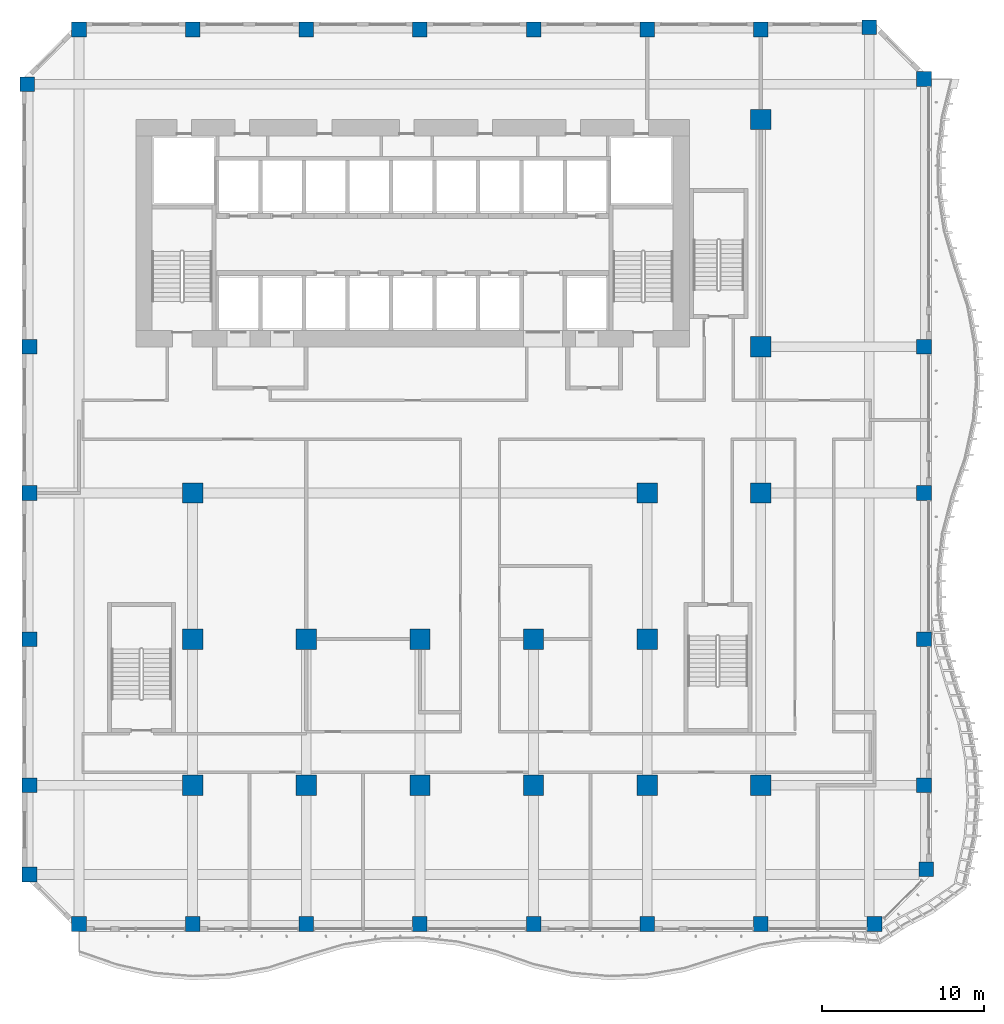
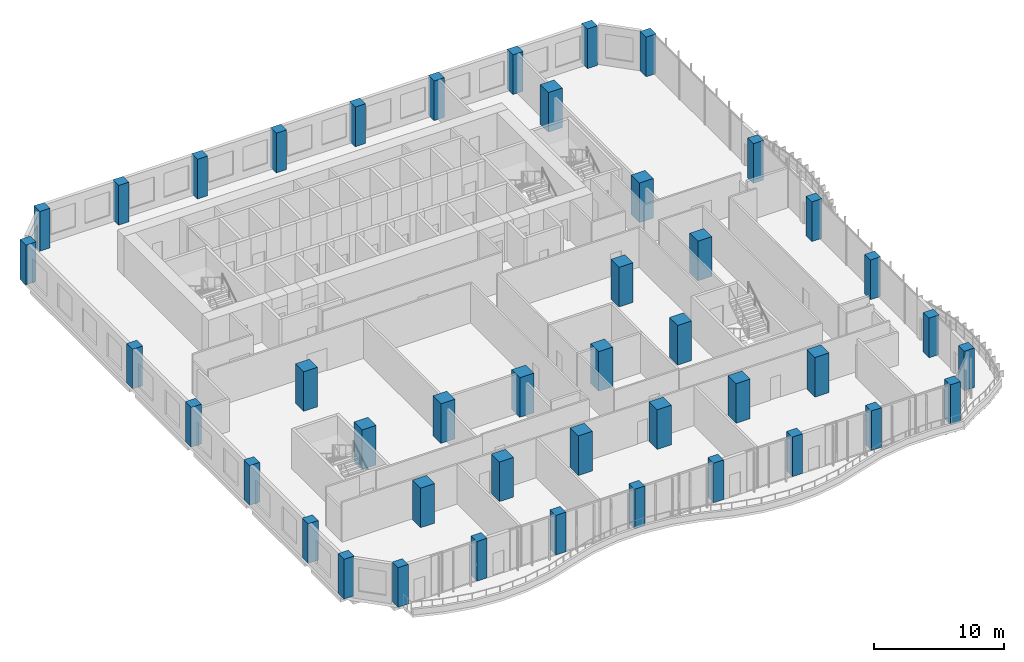
# One storey, part 1 of 28: 44 columns.
"""IFC4 building model written with IfcOpenShell, lengths in metres."""

import ifcopenshell
import ifcopenshell.guid

model = None  # the IFC model being written
_history = None  # IfcOwnerHistory: only IFC2X3 demands one
_inside = {}  # id of a spatial element -> (the spatial element, [elements in it])
_under = {}  # id of a project, library or spatial element -> (it, [spatial elements below it])
_declared = {}  # id of a project -> (the project, [libraries it declares])
_typed = {}  # id of a type object -> (the type object, [elements of that type])
_made_of = {}  # id of a material, layer set ... -> (it, [elements and type objects made of it])


def new_model(schema):
    """Start an empty IFC model of exactly this schema.

    Asked for "IFC4X3", IfcOpenShell would pick the latest addendum, in which some entities
    have other attributes; the version numbers below select the first issue.
    IFC2X3 requires an IfcOwnerHistory on every rooted entity: one is made here for all.
    """
    global model, _history
    if schema == "IFC4X3":
        model = ifcopenshell.file(schema_version=(4, 3, 0, 0))
    else:
        model = ifcopenshell.file(schema=schema)
    _inside.clear()
    _under.clear()
    _declared.clear()
    _typed.clear()
    _made_of.clear()
    _history = None
    if model.schema == "IFC2X3":
        org = make("IfcOrganization", Name="unknown")
        user = make(
            "IfcPersonAndOrganization",
            ThePerson=make("IfcPerson", FamilyName="unknown"),
            TheOrganization=org,
        )
        app = make(
            "IfcApplication",
            ApplicationDeveloper=org,
            Version="unknown",
            ApplicationFullName="unknown",
            ApplicationIdentifier="unknown",
        )
        _history = make(
            "IfcOwnerHistory",
            OwningUser=user,
            OwningApplication=app,
            ChangeAction="ADDED",
            CreationDate=0,
        )
    return model


def make(cls, **values):
    """One entity of the class cls with the attributes given. An attribute that is None is left unset."""
    return model.create_entity(
        cls, **{name: value for name, value in values.items() if value is not None}
    )


def rooted(cls, **values):
    """An entity with a GlobalId (a new one), such as an element, a storey or a relation."""
    return make(cls, GlobalId=ifcopenshell.guid.new(), OwnerHistory=_history, **values)


def si_unit(unit_type, name, prefix=None):
    """IfcSIUnit, for example si_unit("LENGTHUNIT", "METRE", prefix="MILLI")."""
    return make("IfcSIUnit", UnitType=unit_type, Prefix=prefix, Name=name)


def assignment(units):
    """IfcUnitAssignment: the units of a project."""
    return None if units is None else make("IfcUnitAssignment", Units=units)


def point(xyz):
    """IfcCartesianPoint."""
    return None if xyz is None else make("IfcCartesianPoint", Coordinates=xyz)


def direction(xyz):
    """IfcDirection."""
    return None if xyz is None else make("IfcDirection", DirectionRatios=xyz)


def frame(location, z_axis=None, x_axis=None):
    """IfcAxis2Placement3D, a coordinate frame: its origin and axes. An axis left out is left unset."""
    return make(
        "IfcAxis2Placement3D",
        Location=point(location),
        Axis=direction(z_axis),
        RefDirection=direction(x_axis),
    )


def frame_2d(location, x_axis=None):
    """IfcAxis2Placement2D, a coordinate frame in the plane: its origin and x axis."""
    return make(
        "IfcAxis2Placement2D", Location=point(location), RefDirection=direction(x_axis)
    )


def origin():
    """The frame at (0, 0, 0) with its axes left unset."""
    return frame((0.0, 0.0, 0.0))


def origin_2d():
    """The frame at (0, 0) in the plane with its x axis left unset."""
    return frame_2d((0.0, 0.0))


def place(relative_to, where):
    """IfcLocalPlacement: puts the frame where relative to a parent placement (None: the world)."""
    return make(
        "IfcLocalPlacement", PlacementRelTo=relative_to, RelativePlacement=where
    )


def context(
    kind, dimensions, precision=None, world=None, true_north=None, identifier=None
):
    """IfcGeometricRepresentationContext, for example the 3D "Model" context."""
    return make(
        "IfcGeometricRepresentationContext",
        ContextIdentifier=identifier,
        ContextType=kind,
        CoordinateSpaceDimension=dimensions,
        Precision=precision,
        WorldCoordinateSystem=world,
        TrueNorth=true_north,
    )


def subcontext(parent, identifier, kind, view, scale=None):
    """IfcGeometricRepresentationSubContext, for example "Body" below "Model"."""
    return make(
        "IfcGeometricRepresentationSubContext",
        ContextIdentifier=identifier,
        ContextType=kind,
        ParentContext=parent,
        TargetScale=scale,
        TargetView=view,
    )


def project(units=None, contexts=None):
    """IfcProject with its units and contexts."""
    return rooted(
        "IfcProject",
        Name="project",
        RepresentationContexts=contexts,
        UnitsInContext=assignment(units),
    )


def spatial(cls, under=None, at=None, **own):
    """A site, building, storey or space (cls), placed at a placement, below another one or the project."""
    s = rooted(cls, ObjectPlacement=at, **own)
    if under is not None:
        _under.setdefault(under.id(), (under, []))[1].append(s)
    return s


def profile(cls, at=None, kind="AREA", **sizes):
    """A parametric profile (cls). Its sizes go by their IFC names, for example OverallWidth=200.0."""
    return make(cls, ProfileType=kind, Position=at, **sizes)


def rectangle(**sizes):
    """IfcRectangleProfileDef."""
    return profile("IfcRectangleProfileDef", **sizes)


def extrude(swept, where, along, depth):
    """IfcExtrudedAreaSolid: the profile swept, set in the frame where, extruded along a direction by depth."""
    return make(
        "IfcExtrudedAreaSolid",
        SweptArea=swept,
        Position=where,
        ExtrudedDirection=direction(along),
        Depth=depth,
    )


def shape(context_of_items, identifier, shape_type, items):
    """IfcShapeRepresentation: the items that make up one representation, for example the "Body"."""
    return make(
        "IfcShapeRepresentation",
        ContextOfItems=context_of_items,
        RepresentationIdentifier=identifier,
        RepresentationType=shape_type,
        Items=items,
    )


def source(mapping_origin, context_of_items, identifier, shape_type, items):
    """IfcRepresentationMap: a shape defined once, which mapped items show again and again."""
    return make(
        "IfcRepresentationMap",
        MappingOrigin=mapping_origin,
        MappedRepresentation=shape(context_of_items, identifier, shape_type, items),
    )


def transform(
    local_origin,
    x_axis=None,
    y_axis=None,
    z_axis=None,
    scale=None,
    scale2=None,
    scale3=None,
    uniform=True,
):
    """IfcCartesianTransformationOperator3D, or its non-uniform kind. x_axis, y_axis, z_axis: its Axis1, 2, 3."""
    if uniform:
        return make(
            "IfcCartesianTransformationOperator3D",
            Axis1=direction(x_axis),
            Axis2=direction(y_axis),
            LocalOrigin=point(local_origin),
            Scale=scale,
            Axis3=direction(z_axis),
        )
    return make(
        "IfcCartesianTransformationOperator3DnonUniform",
        Axis1=direction(x_axis),
        Axis2=direction(y_axis),
        LocalOrigin=point(local_origin),
        Scale=scale,
        Axis3=direction(z_axis),
        Scale2=scale2,
        Scale3=scale3,
    )


def mapped(mapping_source, mapping_target):
    """IfcMappedItem: shows the shape of a source again, moved by a transform."""
    return make(
        "IfcMappedItem", MappingSource=mapping_source, MappingTarget=mapping_target
    )


def material(Name=None, Category=None):
    """IfcMaterial."""
    return make("IfcMaterial", Name=Name, Category=Category)


def material_profile(
    of_material, cross_section, Name=None, Category=None, Priority=None
):
    """IfcMaterialProfile: a cross section and its material."""
    return make(
        "IfcMaterialProfile",
        Name=Name,
        Material=of_material,
        Profile=cross_section,
        Priority=Priority,
        Category=Category,
    )


def profile_set(profiles, Name=None, composite=None):
    """IfcMaterialProfileSet."""
    return make(
        "IfcMaterialProfileSet",
        Name=Name,
        MaterialProfiles=profiles,
        CompositeProfile=composite,
    )


def made_of(thing, what):
    """Note that an element or type object is made of a material, layer set ...; save() writes the relation."""
    if what is not None:
        _made_of.setdefault(what.id(), (what, []))[1].append(thing)
    return thing


def type_object(cls, material=None, **own):
    """A type object (cls), such as IfcWallType, which elements share."""
    return made_of(rooted(cls, **own), material)


def element(
    cls,
    number,
    at=None,
    inside=None,
    cuts=None,
    type_object=None,
    material=None,
    context=None,
    identifier="Body",
    shape_type=None,
    held_by="IfcProductDefinitionShape",
    body=None,
    shapes=None,
    **own,
):
    """One element of the class cls, such as IfcWall. Its Tag is "e" and its number.

    at: its placement. inside: the storey or other place that contains it. cuts: it is an
    opening in that element (IfcRelVoidsElement). A single representation is given by context,
    identifier, shape_type and body (its items); several are given by shapes. held_by: the class
    of the entity that holds the representations. save() writes the other relations.
    """
    e = rooted(cls, Tag="e%d" % number, ObjectPlacement=at, **own)
    if body is not None:
        shapes = [shape(context, identifier, shape_type, body)]
    if shapes is not None:
        e.Representation = make(held_by, Representations=shapes)
    if inside is not None:
        _inside.setdefault(inside.id(), (inside, []))[1].append(e)
    if cuts is not None:
        rooted(
            "IfcRelVoidsElement", RelatingBuildingElement=cuts, RelatedOpeningElement=e
        )
    if type_object is not None:
        _typed.setdefault(type_object.id(), (type_object, []))[1].append(e)
    return made_of(e, material)


def aggregate(whole, parts):
    """IfcRelAggregates: a whole, such as a stair, and the parts it consists of."""
    return rooted("IfcRelAggregates", RelatingObject=whole, RelatedObjects=parts)


def save(model, path):
    """Write the relations noted so far, then the file.

    IfcRelAggregates (storeys below a building ...), IfcRelContainedInSpatialStructure (elements
    in a storey), IfcRelDefinesByType, IfcRelAssociatesMaterial and IfcRelDeclares: one each for
    every whole, place, type object, material and project.
    """
    for whole, parts in _under.values():
        aggregate(whole, parts)
    for where, things in _inside.values():
        rooted(
            "IfcRelContainedInSpatialStructure",
            RelatedElements=things,
            RelatingStructure=where,
        )
    for kind, things in _typed.values():
        rooted("IfcRelDefinesByType", RelatedObjects=things, RelatingType=kind)
    for what, things in _made_of.values():
        rooted("IfcRelAssociatesMaterial", RelatedObjects=things, RelatingMaterial=what)
    for by, libraries in _declared.values():
        rooted("IfcRelDeclares", RelatingContext=by, RelatedDefinitions=libraries)
    model.write(path)


model = new_model("IFC4")

# Units and contexts
model_context = context("Model", 3, precision=1e-05, world=origin(), true_north=direction((0.0, 1.0)))
body_context = subcontext(model_context, "Body", "Model", "MODEL_VIEW")
ifc_project = project(units=[si_unit("LENGTHUNIT", "METRE"), si_unit("AREAUNIT", "SQUARE_METRE"), si_unit("VOLUMEUNIT", "CUBIC_METRE"), si_unit("PLANEANGLEUNIT", "RADIAN"), si_unit("MASSUNIT", "GRAM", prefix="KILO")], contexts=[model_context])

# Site, building, storey
site_placement = place(None, origin())
site = spatial("IfcSite", under=ifc_project, at=site_placement, CompositionType="ELEMENT")
building_placement = place(site_placement, origin())
building = spatial("IfcBuilding", under=site, at=building_placement, Name="Kilnfold Tower and Market Hall", CompositionType="ELEMENT")
storey_placement = place(building_placement, frame((0.0, 0.0, 75.199951171875)))
storey = spatial("IfcBuildingStorey", under=building, at=storey_placement, Name="L17", CompositionType="ELEMENT", Elevation=75.199951171875)

# Columns
ifc_material_1 = material(Name="Concrete C80", Category="concrete")
ifc_material_profile_1 = material_profile(ifc_material_1, rectangle(XDim=0.89990234375, YDim=0.89990234375, at=origin_2d()), Name="RC 900x900")
ifc_profile_set_1 = profile_set([ifc_material_profile_1], Name="Concrete C80")
column_type_1 = type_object("IfcColumnType", Name="COLUMN 900X900 C80", PredefinedType="COLUMN", material=ifc_profile_set_1)
shared_shape_1 = source(origin(), body_context, "Body", "SweptSolid", [
    extrude(rectangle(XDim=0.89990234375, YDim=0.89990234375, at=origin_2d()), origin(), (0.0, 0.0, 1.0), 3.719970703125),
])
for number, where, z_axis, x_axis, name in (
    (1, (-22.681884765625, 24.181884765625, 0.0), (0.0, 0.0, 1.0), (1.0, 0.0, 0.0), "Column C-B2-1H"),
    (2, (-22.550048828125, -24.5, 0.0), (0.0, 0.0, 1.0), (1.0, 0.0, 0.0), "Column C-B2-1B"),
    (3, (-22.550048828125, -19.0, 0.0), (0.0, 0.0, 1.0), (1.0, 0.0, 0.0), "Column C-B2-1C"),
    (4, (-22.550048828125, -10.0, 0.0), (0.0, 0.0, 1.0), (1.0, 0.0, 0.0), "Column C-B2-1D"),
    (5, (-22.550048828125, -1.0, 0.0), (0.0, 0.0, 1.0), (1.0, 0.0, 0.0), "Column C-B2-1E"),
    (6, (-22.550048828125, 8.0, 0.0), (0.0, 0.0, 1.0), (1.0, 0.0, 0.0), "Column C-B2-1F"),
    (7, (-19.5, -27.550048828125, 0.0), (0.0, 0.0, 1.0), (1.0, 0.0, 0.0), "Column C-B2-2A"),
    (8, (-19.5, 27.550048828125, 0.0), (0.0, 0.0, 1.0), (1.0, 0.0, 0.0), "Column C-B2-2I"),
    (9, (-12.5, -27.550048828125, 0.0), (0.0, 0.0, 1.0), (1.0, 0.0, 0.0), "Column C-B2-3A"),
    (10, (-12.5, 27.550048828125, 0.0), (0.0, 0.0, 1.0), (1.0, 0.0, 0.0), "Column C-B2-3I"),
    (11, (-5.5, -27.550048828125, 0.0), (0.0, 0.0, 1.0), (1.0, 0.0, 0.0), "Column C-B2-4A"),
    (12, (-5.5, 27.550048828125, 0.0), (0.0, 0.0, 1.0), (1.0, 0.0, 0.0), "Column C-B2-4I"),
    (13, (1.5, -27.550048828125, 0.0), (0.0, 0.0, 1.0), (1.0, 0.0, 0.0), "Column C-B2-5A"),
    (14, (1.5, 27.550048828125, 0.0), (0.0, 0.0, 1.0), (1.0, 0.0, 0.0), "Column C-B2-5I"),
    (15, (8.5, -27.550048828125, 0.0), (0.0, 0.0, 1.0), (1.0, 0.0, 0.0), "Column C-B2-6A"),
    (16, (8.5, 27.550048828125, 0.0), (0.0, 0.0, 1.0), (1.0, 0.0, 0.0), "Column C-B2-6I"),
    (17, (15.5, -27.550048828125, 0.0), (0.0, 0.0, 1.0), (1.0, 0.0, 0.0), "Column C-B2-7A"),
    (18, (15.5, 27.550048828125, 0.0), (0.0, 0.0, 1.0), (1.0, 0.0, 0.0), "Column C-B2-7I"),
    (19, (22.5, -27.550048828125, 0.0), (0.0, 0.0, 1.0), (1.0, 0.0, 0.0), "Column C-B2-8A"),
    (20, (22.5, 27.550048828125, 0.0), (0.0, 0.0, 1.0), (1.0, 0.0, 0.0), "Column C-B2-8I"),
    (21, (29.181884765625, 27.681884765625, 0.0), (0.0, 0.0, 1.0), (1.0, 0.0, 0.0), "Column C-B2-9I"),
    (22, (29.5, -27.550048828125, 0.0), (0.0, 0.0, 1.0), (1.0, 0.0, 0.0), "Column C-B2-9A"),
    (23, (32.550048828125, -19.0, 0.0), (0.0, 0.0, 1.0), (1.0, 0.0, 0.0), "Column C-B2-10C"),
    (24, (32.550048828125, -10.0, 0.0), (0.0, 0.0, 1.0), (1.0, 0.0, 0.0), "Column C-B2-10D"),
    (25, (32.550048828125, -1.0, 0.0), (0.0, 0.0, 1.0), (1.0, 0.0, 0.0), "Column C-B2-10E"),
    (26, (32.550048828125, 8.0, 0.0), (0.0, 0.0, 1.0), (1.0, 0.0, 0.0), "Column C-B2-10F"),
    (27, (32.550048828125, 24.5, 0.0), (0.0, 0.0, 1.0), (1.0, 0.0, 0.0), "Column C-B2-10H"),
    (28, (32.681884765625, -24.181884765625, 0.0), (0.0, 0.0, 1.0), (1.0, 0.0, 0.0), "Column C-B2-10B"),
):
    element("IfcColumn", number, at=place(storey_placement, frame(where, z_axis=z_axis, x_axis=x_axis)), inside=storey, type_object=column_type_1, Name=name, PredefinedType="COLUMN", context=body_context, shape_type="MappedRepresentation", body=[
        mapped(shared_shape_1, transform((0.0, 0.0, 0.0))),
    ])
ifc_material_2 = material(Name="Concrete C80", Category="concrete")
ifc_material_profile_2 = material_profile(ifc_material_2, rectangle(XDim=1.25, YDim=1.25, at=origin_2d()), Name="RC 1250x1250")
ifc_profile_set_2 = profile_set([ifc_material_profile_2], Name="Concrete C80")
column_type_2 = type_object("IfcColumnType", Name="COLUMN 1250X1250 C80", PredefinedType="COLUMN", material=ifc_profile_set_2)
shared_shape_2 = source(origin(), body_context, "Body", "SweptSolid", [
    extrude(rectangle(XDim=1.25, YDim=1.25, at=origin_2d()), origin(), (0.0, 0.0, 1.0), 3.719970703125),
])
for number, where, z_axis, x_axis, name in (
    (29, (-12.5, -19.0, 0.0), (0.0, 0.0, 1.0), (1.0, 0.0, 0.0), "Column C-B2-3C"),
    (30, (-12.5, -10.0, 0.0), (0.0, 0.0, 1.0), (1.0, 0.0, 0.0), "Column C-B2-3D"),
    (31, (-12.5, -1.0, 0.0), (0.0, 0.0, 1.0), (1.0, 0.0, 0.0), "Column C-B2-3E"),
    (32, (-5.5, -19.0, 0.0), (0.0, 0.0, 1.0), (1.0, 0.0, 0.0), "Column C-B2-4C"),
    (33, (-5.5, -10.0, 0.0), (0.0, 0.0, 1.0), (1.0, 0.0, 0.0), "Column C-B2-4D"),
    (34, (1.5, -19.0, 0.0), (0.0, 0.0, 1.0), (1.0, 0.0, 0.0), "Column C-B2-5C"),
    (35, (1.5, -10.0, 0.0), (0.0, 0.0, 1.0), (1.0, 0.0, 0.0), "Column C-B2-5D"),
    (36, (8.5, -19.0, 0.0), (0.0, 0.0, 1.0), (1.0, 0.0, 0.0), "Column C-B2-6C"),
    (37, (8.5, -10.0, 0.0), (0.0, 0.0, 1.0), (1.0, 0.0, 0.0), "Column C-B2-6D"),
    (38, (15.5, -19.0, 0.0), (0.0, 0.0, 1.0), (1.0, 0.0, 0.0), "Column C-B2-7C"),
    (39, (15.5, -10.0, 0.0), (0.0, 0.0, 1.0), (1.0, 0.0, 0.0), "Column C-B2-7D"),
    (40, (15.5, -1.0, 0.0), (0.0, 0.0, 1.0), (1.0, 0.0, 0.0), "Column C-B2-7E"),
    (41, (22.5, -19.0, 0.0), (0.0, 0.0, 1.0), (1.0, 0.0, 0.0), "Column C-B2-8C"),
    (42, (22.5, -1.0, 0.0), (0.0, 0.0, 1.0), (1.0, 0.0, 0.0), "Column C-B2-8E"),
    (43, (22.5, 8.0, 0.0), (0.0, 0.0, 1.0), (1.0, 0.0, 0.0), "Column C-B2-8F"),
    (44, (22.5, 22.0, 0.0), (0.0, 0.0, 1.0), (1.0, 0.0, 0.0), "Column C-B2-8G"),
):
    element("IfcColumn", number, at=place(storey_placement, frame(where, z_axis=z_axis, x_axis=x_axis)), inside=storey, type_object=column_type_2, Name=name, PredefinedType="COLUMN", context=body_context, shape_type="MappedRepresentation", body=[
        mapped(shared_shape_2, transform((0.0, 0.0, 0.0))),
    ])

save(model, "model.ifc")
